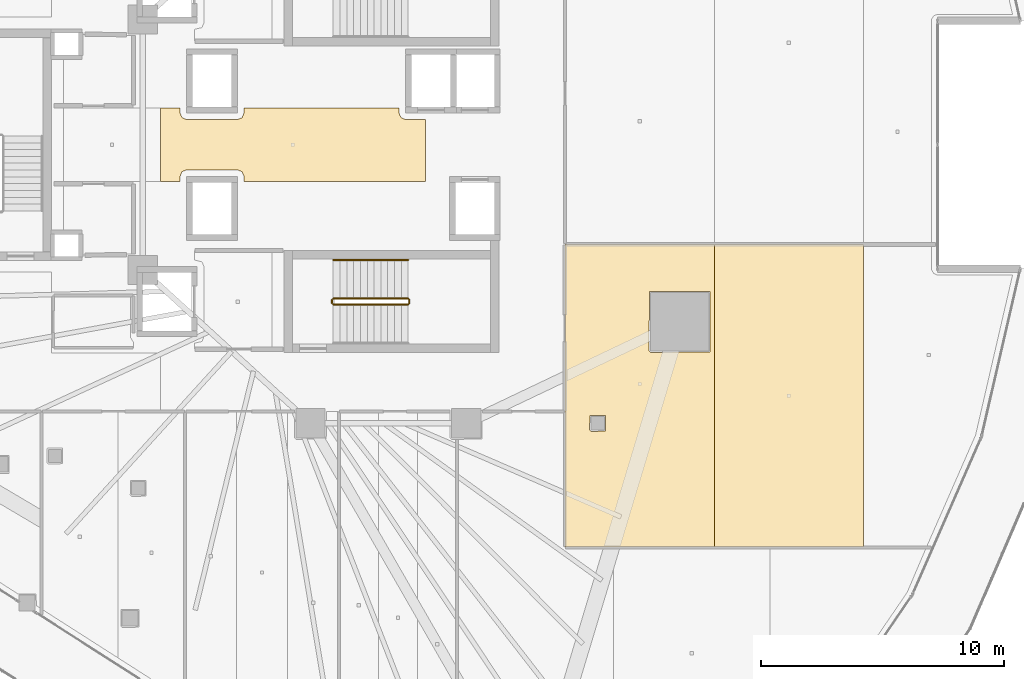
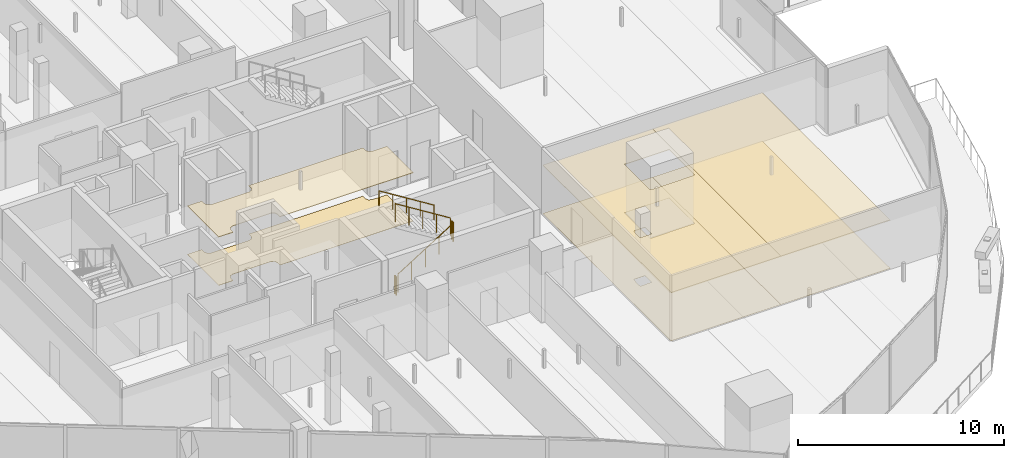
# One storey, part 40 of 45: 6 coverings, 5 railings.
"""IFC4 building model written with IfcOpenShell, lengths in metres."""

from ifc_helpers import new_model, si_unit, direction, frame, origin, origin_2d, place, context, subcontext, project, spatial, polyline, circle, outline, extrude, material, layer, layer_set, type_object, element, save


model = new_model("IFC4")

# Units and contexts
model_context = context("Model", 3, precision=1e-05, world=origin(), true_north=direction((0.0, 1.0)))
body_context = subcontext(model_context, "Body", "Model", "MODEL_VIEW")
ifc_project = project(units=[si_unit("LENGTHUNIT", "METRE"), si_unit("AREAUNIT", "SQUARE_METRE"), si_unit("VOLUMEUNIT", "CUBIC_METRE"), si_unit("PLANEANGLEUNIT", "RADIAN"), si_unit("MASSUNIT", "GRAM", prefix="KILO")], contexts=[model_context])

# Site, building, storey
site_placement = place(None, origin())
site = spatial("IfcSite", under=ifc_project, at=site_placement, CompositionType="ELEMENT")
building_placement = place(site_placement, origin())
building = spatial("IfcBuilding", under=site, at=building_placement, Name="Qorvath Tower", CompositionType="ELEMENT")
storey_placement = place(building_placement, frame((0.0, 0.0, 91.199951171875)))
storey = spatial("IfcBuildingStorey", under=building, at=storey_placement, Name="L20", CompositionType="ELEMENT", Elevation=91.199951171875)

# Coverings
ifc_material_1 = material(Name="Acoustic mineral fibre ceiling tile", Category="gypsum")
ifc_layer_1 = layer(ifc_material_1, 0.030029296875)
ifc_layer_set_1 = layer_set([ifc_layer_1], Name="COV-CEIL")
covering_type_1 = type_object("IfcCoveringType", Name="COV-CEIL", PredefinedType="CEILING", material=ifc_layer_set_1)
covering_1_placement = place(storey_placement, frame((0.0, 0.0, 2.85009765625)))
element("IfcCovering", 1, at=covering_1_placement, inside=storey, type_object=covering_type_1, Name="L20 Suspended Acoustic Ceiling 009", PredefinedType="CEILING", context=body_context, shape_type="SweptSolid", body=[
    extrude(outline(polyline([(-18.885009765625, -1.514892578125), (-18.885009765625, 1.0400390625), (-19.7099609375, 1.0400390625), (-19.88671875, 1.11328125), (-19.9599609375, 1.2900390625), (-19.9599609375, 1.514892578125), (-26.340087890625, 1.514892578125), (-26.340087890625, 1.2900390625), (-26.413330078125, 1.11328125), (-26.590087890625, 1.0400390625), (-28.7099609375, 1.0400390625), (-28.88671875, 1.11328125), (-28.9599609375, 1.2900390625), (-28.9599609375, 1.514892578125), (-29.764892578125, 1.514892578125), (-29.764892578125, -1.514892578125), (-28.9599609375, -1.514892578125), (-28.9599609375, -1.2900390625), (-28.88671875, -1.11328125), (-28.7099609375, -1.0400390625), (-26.590087890625, -1.0400390625), (-26.413330078125, -1.11328125), (-26.340087890625, -1.2900390625), (-26.340087890625, -1.514892578125), (-18.885009765625, -1.514892578125)])), origin(), (0.0, 0.0, 1.0), 0.030029296875),
])
covering_2_placement = place(storey_placement, frame((0.0, 0.0, 2.85009765625)))
element("IfcCovering", 2, at=covering_2_placement, inside=storey, type_object=covering_type_1, Name="L20 Suspended Acoustic Ceiling 029", PredefinedType="CEILING", context=body_context, shape_type="SweptSolid", body=[
    extrude(outline(polyline([(-7.008056640625, -16.53466796875), (-7.008056640625, -4.10791015625), (-13.136962890625, -4.10791015625), (-13.136962890625, -16.533935546875), (-7.008056640625, -16.53466796875)]), holes=[polyline([(-9.690185546875, -8.476318359375), (-9.672607421875, -6.033935546875), (-7.18798828125, -6.033935546875), (-7.18798828125, -8.518798828125), (-9.63037109375, -8.536376953125), (-9.690185546875, -8.476318359375)]), polyline([(-12.135009765625, -11.72509765625), (-12.117431640625, -11.132568359375), (-11.482666015625, -11.132568359375), (-11.482666015625, -11.767333984375), (-12.074951171875, -11.784912109375), (-12.135009765625, -11.72509765625)])]), origin(), (0.0, 0.0, 1.0), 0.030029296875),
])
covering_3_placement = place(storey_placement, frame((0.0, 0.0, 2.85009765625)))
element("IfcCovering", 3, at=covering_3_placement, inside=storey, type_object=covering_type_1, Name="L20 Suspended Acoustic Ceiling 030", PredefinedType="CEILING", context=body_context, shape_type="SweptSolid", body=[
    extrude(outline(polyline([(-0.87890625, -16.53515625), (-0.87890625, -4.10791015625), (-7.008056640625, -4.10791015625), (-7.008056640625, -16.53466796875), (-0.87890625, -16.53515625)])), origin(), (0.0, 0.0, 1.0), 0.030029296875),
])
ifc_material_2 = material(Name="Low-VOC modular carpet tile", Category="textile")
ifc_layer_2 = layer(ifc_material_2, 0.014892578125)
ifc_layer_set_2 = layer_set([ifc_layer_2], Name="COV-FLOOR-CPT")
covering_type_2 = type_object("IfcCoveringType", Name="COV-FLOOR-CPT", PredefinedType="FLOORING", material=ifc_layer_set_2)
covering_4_placement = place(storey_placement, origin())
element("IfcCovering", 4, at=covering_4_placement, inside=storey, type_object=covering_type_2, Name="L20 Floor Finish 029", PredefinedType="FLOORING", context=body_context, shape_type="SweptSolid", body=[
    extrude(outline(polyline([(-7.008056640625, -16.53466796875), (-7.008056640625, -4.10791015625), (-13.136962890625, -4.10791015625), (-13.136962890625, -16.533935546875), (-7.008056640625, -16.53466796875)]), holes=[polyline([(-9.690185546875, -8.476318359375), (-9.672607421875, -6.033935546875), (-7.18798828125, -6.033935546875), (-7.18798828125, -8.518798828125), (-9.63037109375, -8.536376953125), (-9.690185546875, -8.476318359375)]), polyline([(-12.135009765625, -11.72509765625), (-12.117431640625, -11.132568359375), (-11.482666015625, -11.132568359375), (-11.482666015625, -11.767333984375), (-12.074951171875, -11.784912109375), (-12.135009765625, -11.72509765625)])]), origin(), (0.0, 0.0, 1.0), 0.01513671875),
])
covering_5_placement = place(storey_placement, origin())
element("IfcCovering", 5, at=covering_5_placement, inside=storey, type_object=covering_type_2, Name="L20 Floor Finish 030", PredefinedType="FLOORING", context=body_context, shape_type="SweptSolid", body=[
    extrude(outline(polyline([(-0.87890625, -16.53515625), (-0.87890625, -4.10791015625), (-7.008056640625, -4.10791015625), (-7.008056640625, -16.53466796875), (-0.87890625, -16.53515625)])), origin(), (0.0, 0.0, 1.0), 0.01513671875),
])
ifc_material_3 = material(Name="Polished epoxy terrazzo flooring", Category="concrete")
ifc_layer_3 = layer(ifc_material_3, 0.02001953125)
ifc_layer_set_3 = layer_set([ifc_layer_3], Name="COV-FLOOR-TRZ")
covering_type_3 = type_object("IfcCoveringType", Name="COV-FLOOR-TRZ", PredefinedType="FLOORING", material=ifc_layer_set_3)
covering_6_placement = place(storey_placement, origin())
element("IfcCovering", 6, at=covering_6_placement, inside=storey, type_object=covering_type_3, Name="L20 Floor Finish 009", PredefinedType="FLOORING", context=body_context, shape_type="SweptSolid", body=[
    extrude(outline(polyline([(-18.885009765625, -1.514892578125), (-18.885009765625, 1.0400390625), (-19.7099609375, 1.0400390625), (-19.88671875, 1.11328125), (-19.9599609375, 1.2900390625), (-19.9599609375, 1.514892578125), (-26.340087890625, 1.514892578125), (-26.340087890625, 1.2900390625), (-26.413330078125, 1.11328125), (-26.590087890625, 1.0400390625), (-28.7099609375, 1.0400390625), (-28.88671875, 1.11328125), (-28.9599609375, 1.2900390625), (-28.9599609375, 1.514892578125), (-29.764892578125, 1.514892578125), (-29.764892578125, -1.514892578125), (-28.9599609375, -1.514892578125), (-28.9599609375, -1.2900390625), (-28.88671875, -1.11328125), (-28.7099609375, -1.0400390625), (-26.590087890625, -1.0400390625), (-26.413330078125, -1.11328125), (-26.340087890625, -1.2900390625), (-26.340087890625, -1.514892578125), (-18.885009765625, -1.514892578125)])), origin(), (0.0, 0.0, 1.0), 0.01513671875),
])

# Railings
ifc_material_4 = material(Name="Painted galvanised steel", Category="steel")
railing_type_1 = type_object("IfcRailingType", Name="RL-STR-GRD", PredefinedType="GUARDRAIL", material=ifc_material_4)
railing_1_placement = place(storey_placement, frame((-22.669921875, -6.570068359375, 0.175048828125)))
element("IfcRailing", 7, at=railing_1_placement, inside=storey, type_object=railing_type_1, Name="L20 TS2 stair guard 1", PredefinedType="GUARDRAIL", context=body_context, shape_type="SweptSolid", body=[
    extrude(circle(Radius=0.02392578125, at=origin_2d()), frame((0.0, 0.0, 1.076171875), z_axis=(0.847979421464, 0.0, 0.530029150871), x_axis=(0.0, 1.0, 0.0)), (0.0, 0.0, 1.0), 3.632080078125),
    extrude(circle(Radius=0.02099609375, at=origin_2d()), origin(), (0.0, 0.0, 1.0), 1.052001953125),
    extrude(circle(Radius=0.02099609375, at=origin_2d()), frame((0.77001953125, 0.0, 0.481201171875)), (0.0, 0.0, 1.0), 1.052001953125),
    extrude(circle(Radius=0.02099609375, at=origin_2d()), frame((1.5400390625, 0.0, 0.96240234375)), (0.0, 0.0, 1.0), 1.052001953125),
    extrude(circle(Radius=0.02099609375, at=origin_2d()), frame((2.309814453125, 0.0, 1.44384765625)), (0.0, 0.0, 1.0), 1.052001953125),
    extrude(circle(Radius=0.02099609375, at=origin_2d()), frame((3.079833984375, 0.0, 1.925048828125)), (0.0, 0.0, 1.0), 1.052001953125),
])
railing_2_placement = place(storey_placement, frame((-19.5400390625, -6.52001953125, 2.10009765625)))
element("IfcRailing", 8, at=railing_2_placement, inside=storey, type_object=railing_type_1, Name="L20 TS2 stair guard 2", PredefinedType="GUARDRAIL", context=body_context, shape_type="SweptSolid", body=[
    extrude(circle(Radius=0.02392578125, at=origin_2d()), frame((0.0, 0.0, 1.076171875), z_axis=(0.0, 1.0, 0.0), x_axis=(-1.0, 0.0, 0.0)), (0.0, 0.0, 1.0), 0.14990234375),
    extrude(circle(Radius=0.02099609375, at=origin_2d()), origin(), (0.0, 0.0, 1.0), 1.052001953125),
    extrude(circle(Radius=0.02099609375, at=origin_2d()), frame((0.0, 0.14990234375, 0.0)), (0.0, 0.0, 1.0), 1.052001953125),
])
railing_3_placement = place(storey_placement, frame((-19.590087890625, -6.320068359375, 2.275146484375)))
element("IfcRailing", 9, at=railing_3_placement, inside=storey, type_object=railing_type_1, Name="L20 TS2 stair guard 3", PredefinedType="GUARDRAIL", context=body_context, shape_type="SweptSolid", body=[
    extrude(circle(Radius=0.02392578125, at=origin_2d()), frame((0.0, 0.0, 1.076171875), z_axis=(-0.848009633417, 0.0, 0.529980812513), x_axis=(0.0, -1.0, 0.0)), (0.0, 0.0, 1.0), 3.6318359375),
    extrude(circle(Radius=0.02099609375, at=origin_2d()), origin(), (0.0, 0.0, 1.0), 1.052001953125),
    extrude(circle(Radius=0.02099609375, at=origin_2d()), frame((-0.77001953125, 0.0, 0.481201171875)), (0.0, 0.0, 1.0), 1.052001953125),
    extrude(circle(Radius=0.02099609375, at=origin_2d()), frame((-1.5400390625, 0.0, 0.96240234375)), (0.0, 0.0, 1.0), 1.052001953125),
    extrude(circle(Radius=0.02099609375, at=origin_2d()), frame((-2.309814453125, 0.0, 1.443603515625)), (0.0, 0.0, 1.0), 1.052001953125),
    extrude(circle(Radius=0.02099609375, at=origin_2d()), frame((-3.079833984375, 0.0, 1.9248046875)), (0.0, 0.0, 1.0), 1.052001953125),
])
railing_4_placement = place(storey_placement, frame((-22.719970703125, -6.52001953125, 0.0)))
element("IfcRailing", 10, at=railing_4_placement, inside=storey, type_object=railing_type_1, Name="L20 TS2 stair guard 4", PredefinedType="GUARDRAIL", context=body_context, shape_type="SweptSolid", body=[
    extrude(circle(Radius=0.02392578125, at=origin_2d()), frame((0.0, 0.0, 1.076171875), z_axis=(0.0, 1.0, 0.0), x_axis=(-1.0, 0.0, 0.0)), (0.0, 0.0, 1.0), 0.14990234375),
    extrude(circle(Radius=0.02099609375, at=origin_2d()), origin(), (0.0, 0.0, 1.0), 1.052001953125),
    extrude(circle(Radius=0.02099609375, at=origin_2d()), frame((0.0, 0.14990234375, 0.0)), (0.0, 0.0, 1.0), 1.052001953125),
])
ifc_material_5 = material(Name="Brushed stainless steel AISI 304", Category="steel")
railing_type_2 = type_object("IfcRailingType", Name="RL-STR-HND", PredefinedType="HANDRAIL", material=ifc_material_5)
railing_5_placement = place(storey_placement, frame((-19.590087890625, -4.739990234375, 2.275146484375)))
element("IfcRailing", 11, at=railing_5_placement, inside=storey, type_object=railing_type_2, Name="L20 TS2 stair handrail 2", PredefinedType="HANDRAIL", context=body_context, shape_type="SweptSolid", body=[
    extrude(circle(Radius=0.02392578125, at=origin_2d()), frame((0.0, 0.0, 0.8759765625), z_axis=(-0.848009633417, 0.0, 0.529980812513), x_axis=(0.0, -1.0, 0.0)), (0.0, 0.0, 1.0), 3.6318359375),
    extrude(circle(Radius=0.02099609375, at=origin_2d()), origin(), (0.0, 0.0, 1.0), 0.851806640625),
    extrude(circle(Radius=0.02099609375, at=origin_2d()), frame((-0.77001953125, 0.0, 0.481201171875)), (0.0, 0.0, 1.0), 0.851806640625),
    extrude(circle(Radius=0.02099609375, at=origin_2d()), frame((-1.5400390625, 0.0, 0.96240234375)), (0.0, 0.0, 1.0), 0.851806640625),
    extrude(circle(Radius=0.02099609375, at=origin_2d()), frame((-2.309814453125, 0.0, 1.443603515625)), (0.0, 0.0, 1.0), 0.851806640625),
    extrude(circle(Radius=0.02099609375, at=origin_2d()), frame((-3.079833984375, 0.0, 1.9248046875)), (0.0, 0.0, 1.0), 0.851806640625),
])

save(model, "model.ifc")
